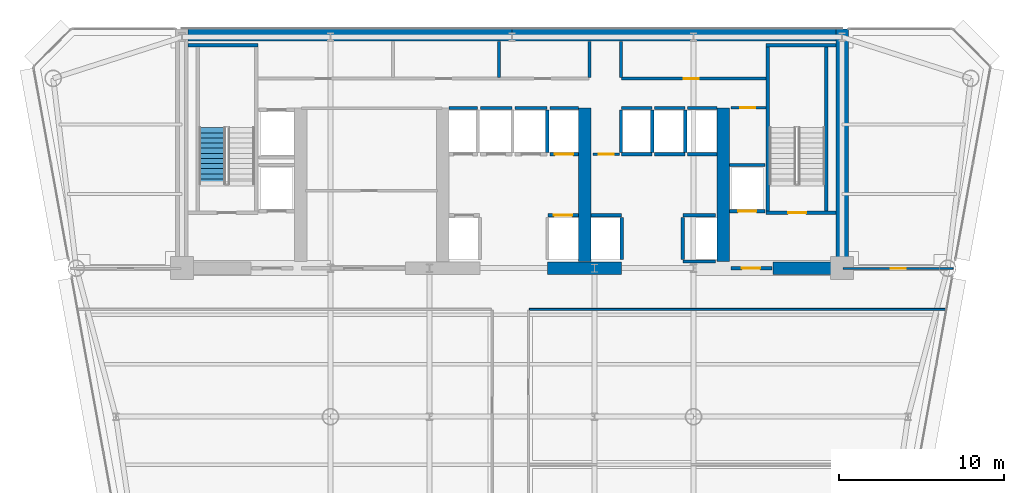
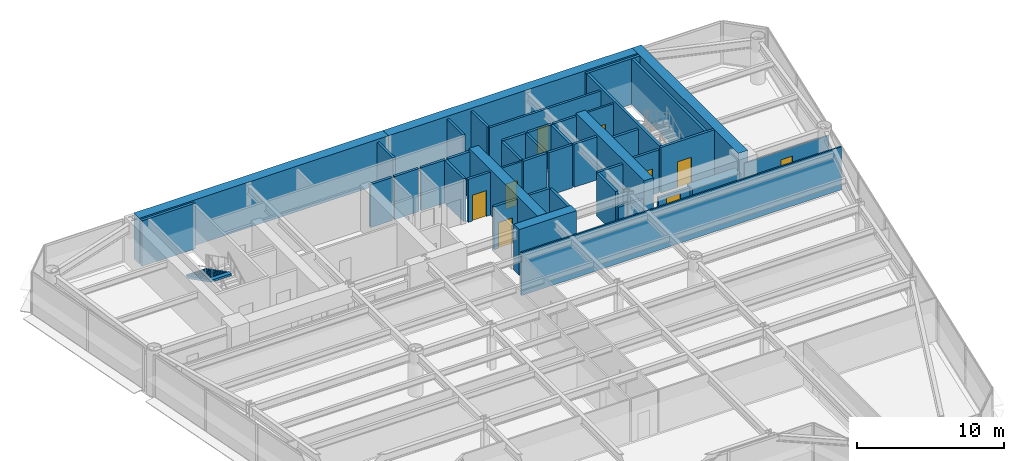
# One storey, part 9 of 14: 44 walls, 9 doors, 1 stair flight, 9 openings, 1 element without a shape of its own.
"""IFC4 building model written with IfcOpenShell, lengths in metres."""

from ifc_helpers import new_model, si_unit, direction, frame, frame_2d, origin, place, context, subcontext, project, spatial, polyline, rectangle, outline, extrude, source, transform, mapped, material, layer, layer_set, type_object, element, fill, aggregate, save


model = new_model("IFC4")

# Units and contexts
model_context = context("Model", 3, precision=1e-05, world=origin(), true_north=direction((0.0, 1.0)))
body_context = subcontext(model_context, "Body", "Model", "MODEL_VIEW")
ifc_project = project(units=[si_unit("LENGTHUNIT", "METRE"), si_unit("AREAUNIT", "SQUARE_METRE"), si_unit("VOLUMEUNIT", "CUBIC_METRE"), si_unit("PLANEANGLEUNIT", "RADIAN"), si_unit("MASSUNIT", "GRAM", prefix="KILO")], contexts=[model_context])

# Site, building, storey
site_placement = place(None, origin())
site = spatial("IfcSite", under=ifc_project, at=site_placement, CompositionType="ELEMENT")
building_placement = place(site_placement, origin())
building = spatial("IfcBuilding", under=site, at=building_placement, Name="Vaeldorn Concourse Tower", CompositionType="ELEMENT")
storey_placement = place(building_placement, frame((0.0, 0.0, 118.60009765625)))
storey = spatial("IfcBuildingStorey", under=building, at=storey_placement, Name="L30", CompositionType="ELEMENT", Elevation=118.60009765625)

# Walls
ifc_material_1 = material(Name="Concrete C60/75", Category="concrete")
ifc_layer_1 = layer(ifc_material_1, 0.75)
ifc_layer_set_1 = layer_set([ifc_layer_1], Name="Concrete C60/75")
wall_type_1 = type_object("IfcWallType", Name="WL-CORE-750", PredefinedType="SHEAR", material=ifc_layer_set_1)
for number, where, z_axis, x_axis, name in (
    (1, (14.37890625, 50.625, 0.0), (0.0, 0.0, 1.0), (1.0, 0.0, 0.0), "Rear Core Shear Wall L30 N1"),
    (2, (34.001953125, 50.625, 0.0), (0.0, 0.0, 1.0), (1.0, 0.0, 0.0), "Rear Core Shear Wall L30 N2"),
):
    element("IfcWall", number, at=place(storey_placement, frame(where, z_axis=z_axis, x_axis=x_axis)), inside=storey, type_object=wall_type_1, Name=name, PredefinedType="SHEAR", context=body_context, shape_type="SweptSolid", body=[
        extrude(rectangle(XDim=19.619140625, YDim=0.75, at=frame_2d((9.8095703125, 0.0))), origin(), (0.0, 0.0, 1.0), 3.7998046875),
    ])
wall_1_placement = place(storey_placement, frame((54.0, 36.5, 0.0), z_axis=(0.0, 0.0, 1.0), x_axis=(0.0, 1.0, 0.0)))
element("IfcWall", 3, at=wall_1_placement, inside=storey, type_object=wall_type_1, Name="Rear Core Shear Wall L30 E1", PredefinedType="SHEAR", context=body_context, shape_type="SweptSolid", body=[
    extrude(rectangle(XDim=14.5, YDim=0.75, at=frame_2d((7.25, 0.0))), origin(), (0.0, 0.0, 1.0), 3.7998046875),
])
wall_2_placement = place(storey_placement, frame((36.14990234375, 36.5, 0.0), z_axis=(0.0, 0.0, 1.0), x_axis=(1.0, 0.0, 0.0)))
element("IfcWall", 4, at=wall_2_placement, inside=storey, type_object=wall_type_1, Name="Rear Core Shear Wall L30 S3", PredefinedType="SHEAR", context=body_context, shape_type="SweptSolid", body=[
    extrude(rectangle(XDim=4.5, YDim=0.75, at=frame_2d((2.25, 0.0))), origin(), (0.0, 0.0, 1.0), 3.7998046875),
])
wall_3_placement = place(storey_placement, frame((49.800048828125, 36.5, 0.0), z_axis=(0.0, 0.0, 1.0), x_axis=(1.0, 0.0, 0.0)))
element("IfcWall", 5, at=wall_3_placement, inside=storey, type_object=wall_type_1, Name="Rear Core Shear Wall L30 S4", PredefinedType="SHEAR", context=body_context, shape_type="SweptSolid", body=[
    extrude(rectangle(XDim=3.804931640625, YDim=0.75, at=frame_2d((1.90234375, 0.0))), origin(), (0.0, 0.0, 1.0), 2.3798828125),
])
for number, where, z_axis, x_axis, name in (
    (6, (38.39990234375, 36.89501953125, 0.0), (0.0, 0.0, 1.0), (0.0, 1.0, 0.0), "Rear Core Shear Wall L30 M3"),
    (7, (46.800048828125, 36.89501953125, 0.0), (0.0, 0.0, 1.0), (0.0, 1.0, 0.0), "Rear Core Shear Wall L30 M4"),
):
    element("IfcWall", number, at=place(storey_placement, frame(where, z_axis=z_axis, x_axis=x_axis)), inside=storey, type_object=wall_type_1, Name=name, PredefinedType="SHEAR", context=body_context, shape_type="SweptSolid", body=[
        extrude(rectangle(XDim=9.304931640625, YDim=0.75, at=frame_2d((4.65234375, 0.0))), origin(), (0.0, 0.0, 1.0), 3.7998046875),
    ])
ifc_material_2 = material(Name="Gypsum Board Partition", Category="gypsum")
ifc_layer_2 = layer(ifc_material_2, 0.1201171875)
ifc_layer_set_2 = layer_set([ifc_layer_2], Name="Gypsum Board Partition")
wall_type_2 = type_object("IfcWallType", Name="WL-PART-120", PredefinedType="PARTITIONING", material=ifc_layer_set_2)
wall_4_placement = place(storey_placement, frame((35.06005859375, 34.0, 0.0), z_axis=(0.0, 0.0, 1.0), x_axis=(1.0, 0.0, 0.0)))
element("IfcWall", 8, at=wall_4_placement, inside=storey, type_object=wall_type_2, Name="Interior Wall PW-L30-C2SE", PredefinedType="PARTITIONING", context=body_context, shape_type="SweptSolid", body=[
    extrude(rectangle(XDim=25.224853515625, YDim=0.1201171875, at=frame_2d((12.6123046875, 0.0))), origin(), (0.0, 0.0, 1.0), 3.579833984375),
])

# Wall, opening, door
wall_5_placement = place(storey_placement, frame((54.06005859375, 36.47998046875, 0.0), z_axis=(0.0, 0.0, 1.0), x_axis=(1.0, 0.0, 0.0)))
wall_5 = element("IfcWall", 9, at=wall_5_placement, inside=storey, type_object=wall_type_2, Name="Interior Wall PW-L30-NES", PredefinedType="PARTITIONING", context=body_context, shape_type="SweptSolid", body=[
    extrude(rectangle(XDim=6.6708984375, YDim=0.1201171875, at=frame_2d((3.33544921875, 0.0))), origin(), (0.0, 0.0, 1.0), 2.869873046875),
])
opening_1_placement = place(wall_5_placement, frame((2.885009765625, 0.0, 0.0)))
opening_1 = element("IfcOpeningElement", 10, at=opening_1_placement, cuts=wall_5, Name="Opening D-03", PredefinedType="OPENING", context=body_context, shape_type="SweptSolid", body=[
    extrude(rectangle(XDim=0.89990234375, YDim=2.14990234375, at=frame_2d((0.449951171875, 1.074951171875))), frame((0.0, 0.070068359375, 0.0), z_axis=(0.0, -1.0, 0.0), x_axis=(1.0, 0.0, 0.0)), (0.0, 0.0, 1.0), 0.14013671875),
])
ifc_material_3 = material(Name="Acoustic Bronze-Framed Glass Door", Category="glass")
door_type_1 = type_object("IfcDoorType", Name="DR-INT-900", OperationType="NOTDEFINED", PredefinedType="DOOR", material=ifc_material_3)
shared_shape_1 = source(origin(), body_context, "Body", "SweptSolid", [
    extrude(rectangle(XDim=0.89990234375, YDim=2.14990234375, at=frame_2d((0.449951171875, 1.074951171875))), frame((0.0, 0.02490234375, 0.0), z_axis=(0.0, -1.0, 0.0), x_axis=(1.0, 0.0, 0.0)), (0.0, 0.0, 1.0), 0.050048828125),
])
door_1_placement = place(opening_1_placement, origin())
door_1 = element("IfcDoor", 11, at=door_1_placement, inside=storey, type_object=door_type_1, Name="Interior Door DR-L30-NEC", OperationType="SINGLE_SWING_RIGHT", OverallHeight=2.14990234375, OverallWidth=0.89990234375, PredefinedType="DOOR", context=body_context, shape_type="MappedRepresentation", body=[
    mapped(shared_shape_1, transform((0.0, 0.0, 0.0), scale=1.0)),
])
fill(opening_1, door_1)

ifc_layer_3 = layer(ifc_material_2, 0.14990234375)
ifc_layer_set_3 = layer_set([ifc_layer_3], Name="Gypsum Board Partition")
wall_type_3 = type_object("IfcWallType", Name="WL-PART-150", PredefinedType="PARTITIONING", material=ifc_layer_set_3)
wall_6_placement = place(storey_placement, frame((47.280029296875, 46.219970703125, 0.0), z_axis=(0.0, 0.0, 1.0), x_axis=(1.0, 0.0, 0.0)))
wall_6 = element("IfcWall", 12, at=wall_6_placement, inside=storey, type_object=wall_type_3, Name="Interior Wall CW-L30-CRSE-N", PredefinedType="PARTITIONING", context=body_context, shape_type="SweptSolid", body=[
    extrude(rectangle(XDim=2.099853515625, YDim=0.14990234375, at=frame_2d((1.0498046875, 0.0))), origin(), (0.0, 0.0, 1.0), 3.579833984375),
])
opening_2_placement = place(wall_6_placement, frame((0.550048828125, 0.0, 0.0)))
opening_2 = element("IfcOpeningElement", 13, at=opening_2_placement, cuts=wall_6, Name="Opening D-02", PredefinedType="OPENING", context=body_context, shape_type="SweptSolid", body=[
    extrude(rectangle(XDim=0.89990234375, YDim=2.10009765625, at=frame_2d((0.449951171875, 1.050048828125))), frame((0.0, 0.0849609375, 0.0), z_axis=(0.0, -1.0, 0.0), x_axis=(1.0, 0.0, 0.0)), (0.0, 0.0, 1.0), 0.169921875),
])
ifc_material_4 = material(Name="Fire-Rated Timber Leaf", Category="wood")
door_type_2 = type_object("IfcDoorType", Name="DR-FD30-900", OperationType="NOTDEFINED", PredefinedType="DOOR", material=ifc_material_4)
shared_shape_2 = source(origin(), body_context, "Body", "SweptSolid", [
    extrude(rectangle(XDim=0.89990234375, YDim=2.10009765625, at=frame_2d((0.449951171875, 1.050048828125))), frame((0.0, 0.02490234375, 0.0), z_axis=(0.0, -1.0, 0.0), x_axis=(1.0, 0.0, 0.0)), (0.0, 0.0, 1.0), 0.050048828125),
])
door_2_placement = place(opening_2_placement, origin())
door_2 = element("IfcDoor", 14, at=door_2_placement, inside=storey, type_object=door_type_2, Name="Interior Door DR-L30-CRSE", OperationType="SINGLE_SWING_RIGHT", OverallHeight=2.10009765625, OverallWidth=0.89990234375, PredefinedType="DOOR", context=body_context, shape_type="MappedRepresentation", body=[
    mapped(shared_shape_2, transform((0.0, 0.0, 0.0), scale=1.0)),
])
fill(opening_2, door_2)

wall_7_placement = place(storey_placement, frame((38.919921875, 43.39990234375, 0.0), z_axis=(0.0, 0.0, 1.0), x_axis=(1.0, 0.0, 0.0)))
wall_7 = element("IfcWall", 15, at=wall_7_placement, inside=storey, type_object=wall_type_3, Name="Interior Wall CW-L30-CCLINK", PredefinedType="PARTITIONING", context=body_context, shape_type="SweptSolid", body=[
    extrude(rectangle(XDim=1.60009765625, YDim=0.14990234375, at=frame_2d((0.800048828125, 0.0))), origin(), (0.0, 0.0, 1.0), 3.579833984375),
])
opening_3_placement = place(wall_7_placement, frame((0.35009765625, 0.0, 0.0)))
opening_3 = element("IfcOpeningElement", 16, at=opening_3_placement, cuts=wall_7, Name="Opening D-02", PredefinedType="OPENING", context=body_context, shape_type="SweptSolid", body=[
    extrude(rectangle(XDim=0.89990234375, YDim=2.10009765625, at=frame_2d((0.449951171875, 1.050048828125))), frame((0.0, 0.0849609375, 0.0), z_axis=(0.0, -1.0, 0.0), x_axis=(1.0, 0.0, 0.0)), (0.0, 0.0, 1.0), 0.169921875),
])
door_3_placement = place(opening_3_placement, origin())
door_3 = element("IfcDoor", 17, at=door_3_placement, inside=storey, type_object=door_type_2, Name="Interior Door DR-L30-CCLINK", OperationType="SINGLE_SWING_LEFT", OverallHeight=2.10009765625, OverallWidth=0.89990234375, PredefinedType="DOOR", context=body_context, shape_type="MappedRepresentation", body=[
    mapped(shared_shape_2, transform((0.0, 0.0, 0.0), scale=1.0)),
])
fill(opening_3, door_3)

ifc_layer_4 = layer(ifc_material_2, 0.179931640625)
ifc_layer_set_4 = layer_set([ifc_layer_4], Name="Gypsum Board Partition")
wall_type_4 = type_object("IfcWallType", Name="WL-PLUMB-180", PredefinedType="PLUMBINGWALL", material=ifc_layer_set_4)
wall_8_placement = place(storey_placement, frame((40.6201171875, 47.97998046875, 0.0), z_axis=(0.0, 0.0, 1.0), x_axis=(1.0, 0.0, 0.0)))
wall_8 = element("IfcWall", 18, at=wall_8_placement, inside=storey, type_object=wall_type_4, Name="Interior Wall CW-L30-NS1E", PredefinedType="PLUMBINGWALL", context=body_context, shape_type="SweptSolid", body=[
    extrude(rectangle(XDim=8.759765625, YDim=0.179931640625, at=frame_2d((4.3798828125, 0.0))), origin(), (0.0, 0.0, 1.0), 3.579833984375),
])
opening_4_placement = place(wall_8_placement, frame((3.800048828125, 0.0, 0.0)))
opening_4 = element("IfcOpeningElement", 19, at=opening_4_placement, cuts=wall_8, Name="Opening D-03", PredefinedType="OPENING", context=body_context, shape_type="SweptSolid", body=[
    extrude(rectangle(XDim=0.89990234375, YDim=2.14990234375, at=frame_2d((0.449951171875, 1.074951171875))), frame((0.0, 0.10009765625, 0.0), z_axis=(0.0, -1.0, 0.0), x_axis=(1.0, 0.0, 0.0)), (0.0, 0.0, 1.0), 0.199951171875),
])
door_4_placement = place(opening_4_placement, origin())
door_4 = element("IfcDoor", 20, at=door_4_placement, inside=storey, type_object=door_type_1, Name="Interior Door DR-L30-CS4", OperationType="SINGLE_SWING_RIGHT", OverallHeight=2.14990234375, OverallWidth=0.89990234375, PredefinedType="DOOR", context=body_context, shape_type="MappedRepresentation", body=[
    mapped(shared_shape_1, transform((0.0, 0.0, 0.0), scale=1.0)),
])
fill(opening_4, door_4)

# Walls
for number, where, z_axis, x_axis, name in (
    (21, (33.199951171875, 48.06005859375, 0.0), (0.0, 0.0, 1.0), (0.0, 1.0, 0.0), "Interior Wall CW-L30-NDIV2"),
    (22, (38.699951171875, 48.06005859375, 0.0), (0.0, 0.0, 1.0), (0.0, 1.0, 0.0), "Interior Wall CW-L30-NDIV3"),
    (23, (40.60009765625, 48.06005859375, 0.0), (0.0, 0.0, 1.0), (0.0, 1.0, 0.0), "Interior Wall CW-L30-NDIV4"),
):
    element("IfcWall", number, at=place(storey_placement, frame(where, z_axis=z_axis, x_axis=x_axis)), inside=storey, type_object=wall_type_4, Name=name, PredefinedType="PLUMBINGWALL", context=body_context, shape_type="SweptSolid", body=[
        extrude(rectangle(XDim=2.169921875, YDim=0.179931640625, at=frame_2d((1.0849609375, 0.0))), origin(), (0.0, 0.0, 1.0), 3.579833984375),
    ])
ifc_material_5 = material(Name="Concrete C50/60", Category="concrete")
ifc_layer_5 = layer(ifc_material_5, 0.199951171875)
ifc_layer_set_5 = layer_set([ifc_layer_5], Name="Concrete C50/60")
wall_type_5 = type_object("IfcWallType", Name="WL-SHAFT-200", PredefinedType="SOLIDWALL", material=ifc_layer_set_5)
wall_9_placement = place(storey_placement, frame((14.375, 50.0, 0.0), z_axis=(0.0, 0.0, 1.0), x_axis=(1.0, 0.0, 0.0)))
element("IfcWall", 24, at=wall_9_placement, inside=storey, type_object=wall_type_5, Name="Stair Shaft Wall CW-L30-ST-1-N", PredefinedType="SOLIDWALL", context=body_context, shape_type="SweptSolid", body=[
    extrude(rectangle(XDim=4.22509765625, YDim=0.199951171875, at=frame_2d((2.112548828125, 0.0))), origin(), (0.0, 0.0, 1.0), 3.7998046875),
])

# Wall, opening, door
wall_10_placement = place(storey_placement, frame((49.39990234375, 39.85009765625, 0.0), z_axis=(0.0, 0.0, 1.0), x_axis=(1.0, 0.0, 0.0)))
wall_10 = element("IfcWall", 25, at=wall_10_placement, inside=storey, type_object=wall_type_5, Name="Stair Shaft Wall CW-L30-ST-2-S", PredefinedType="SOLIDWALL", context=body_context, shape_type="SweptSolid", body=[
    extrude(rectangle(XDim=4.22509765625, YDim=0.199951171875, at=frame_2d((2.112548828125, 0.0))), origin(), (0.0, 0.0, 1.0), 3.7998046875),
])
opening_5_placement = place(wall_10_placement, frame((1.324951171875, 0.0, 0.0)))
opening_5 = element("IfcOpeningElement", 26, at=opening_5_placement, cuts=wall_10, Name="Opening D-01", PredefinedType="OPENING", context=body_context, shape_type="SweptSolid", body=[
    extrude(rectangle(XDim=1.10009765625, YDim=2.14990234375, at=frame_2d((0.550048828125, 1.074951171875))), frame((0.0, 0.10986328125, 0.0), z_axis=(0.0, -1.0, 0.0), x_axis=(1.0, 0.0, 0.0)), (0.0, 0.0, 1.0), 0.219970703125),
])
ifc_material_6 = material(Name="Fire-Rated Timber and Steel Leaf", Category="steel")
door_type_3 = type_object("IfcDoorType", Name="DR-FD60-1100", OperationType="NOTDEFINED", PredefinedType="DOOR", material=ifc_material_6)
shared_shape_3 = source(origin(), body_context, "Body", "SweptSolid", [
    extrude(rectangle(XDim=1.10009765625, YDim=2.14990234375, at=frame_2d((0.550048828125, 1.074951171875))), frame((0.0, 0.02490234375, 0.0), z_axis=(0.0, -1.0, 0.0), x_axis=(1.0, 0.0, 0.0)), (0.0, 0.0, 1.0), 0.050048828125),
])
door_5_placement = place(opening_5_placement, origin())
door_5 = element("IfcDoor", 27, at=door_5_placement, inside=storey, type_object=door_type_3, Name="Interior Door DR-L30-ST-2", OperationType="SINGLE_SWING_RIGHT", OverallHeight=2.14990234375, OverallWidth=1.10009765625, PredefinedType="DOOR", context=body_context, shape_type="MappedRepresentation", body=[
    mapped(shared_shape_3, transform((0.0, 0.0, 0.0), scale=1.0)),
])
fill(opening_5, door_5)

# Walls
wall_11_placement = place(storey_placement, frame((49.39990234375, 50.0, 0.0), z_axis=(0.0, 0.0, 1.0), x_axis=(1.0, 0.0, 0.0)))
element("IfcWall", 28, at=wall_11_placement, inside=storey, type_object=wall_type_5, Name="Stair Shaft Wall CW-L30-ST-2-N", PredefinedType="SOLIDWALL", context=body_context, shape_type="SweptSolid", body=[
    extrude(rectangle(XDim=4.22509765625, YDim=0.199951171875, at=frame_2d((2.112548828125, 0.0))), origin(), (0.0, 0.0, 1.0), 3.7998046875),
])
for number, where, z_axis, x_axis, name in (
    (29, (49.5, 39.9599609375, 0.0), (0.0, 0.0, 1.0), (0.0, 1.0, 0.0), "Stair Shaft Wall CW-L30-ST-2-W"),
    (30, (53.050048828125, 39.9599609375, 0.0), (0.0, 0.0, 1.0), (0.0, 1.0, 0.0), "Stair Shaft Wall CW-L30-ST-2-E"),
):
    element("IfcWall", number, at=place(storey_placement, frame(where, z_axis=z_axis, x_axis=x_axis)), inside=storey, type_object=wall_type_5, Name=name, PredefinedType="SOLIDWALL", context=body_context, shape_type="SweptSolid", body=[
        extrude(rectangle(XDim=9.929931640625, YDim=0.199951171875, at=frame_2d((4.96484375, 0.0))), origin(), (0.0, 0.0, 1.0), 3.7998046875),
    ])

# Wall, opening, door
wall_12_placement = place(storey_placement, frame((47.280029296875, 36.5, 0.0), z_axis=(0.0, 0.0, 1.0), x_axis=(1.0, 0.0, 0.0)))
wall_12 = element("IfcWall", 31, at=wall_12_placement, inside=storey, type_object=wall_type_5, Name="Interior Wall CW-L30-FF2S", PredefinedType="SOLIDWALL", context=body_context, shape_type="SweptSolid", body=[
    extrude(rectangle(XDim=2.469970703125, YDim=0.199951171875, at=frame_2d((1.23486328125, 0.0))), origin(), (0.0, 0.0, 1.0), 2.369873046875),
])
opening_6_placement = place(wall_12_placement, frame((0.64990234375, 0.0, 0.0)))
opening_6 = element("IfcOpeningElement", 32, at=opening_6_placement, cuts=wall_12, Name="Opening D-01", PredefinedType="OPENING", context=body_context, shape_type="SweptSolid", body=[
    extrude(rectangle(XDim=1.10009765625, YDim=2.14990234375, at=frame_2d((0.550048828125, 1.074951171875))), frame((0.0, 0.10986328125, 0.0), z_axis=(0.0, -1.0, 0.0), x_axis=(1.0, 0.0, 0.0)), (0.0, 0.0, 1.0), 0.219970703125),
])
door_6_placement = place(opening_6_placement, origin())
door_6 = element("IfcDoor", 33, at=door_6_placement, inside=storey, type_object=door_type_3, Name="Interior Door DR-L30-FF2W", OperationType="SINGLE_SWING_LEFT", OverallHeight=2.14990234375, OverallWidth=1.10009765625, PredefinedType="DOOR", context=body_context, shape_type="MappedRepresentation", body=[
    mapped(shared_shape_3, transform((0.0, 0.0, 0.0), scale=1.0)),
])
fill(opening_6, door_6)

wall_13_placement = place(storey_placement, frame((36.169921875, 39.699951171875, 0.0), z_axis=(0.0, 0.0, 1.0), x_axis=(1.0, 0.0, 0.0)))
wall_13 = element("IfcWall", 34, at=wall_13_placement, inside=storey, type_object=wall_type_5, Name="Interior Wall CW-L30-LF-LF-08", PredefinedType="SOLIDWALL", context=body_context, shape_type="SweptSolid", body=[
    extrude(rectangle(XDim=1.844970703125, YDim=0.199951171875, at=frame_2d((0.92236328125, 0.0))), origin(), (0.0, 0.0, 1.0), 3.579833984375),
])
opening_7_placement = place(wall_13_placement, frame((0.3720703125, 0.0, 0.0)))
opening_7 = element("IfcOpeningElement", 35, at=opening_7_placement, cuts=wall_13, Name="Opening LD-1", PredefinedType="OPENING", context=body_context, shape_type="SweptSolid", body=[
    extrude(rectangle(XDim=1.10009765625, YDim=2.14990234375, at=frame_2d((0.550048828125, 1.074951171875))), frame((0.0, 0.10986328125, 0.0), z_axis=(0.0, -1.0, 0.0), x_axis=(1.0, 0.0, 0.0)), (0.0, 0.0, 1.0), 0.219970703125),
])
ifc_material_7 = material(Name="Anodised Bronze Aluminium", Category="aluminium")
door_type_4 = type_object("IfcDoorType", Name="DR-LIFT-SLIDE-1100", OperationType="DOUBLE_DOOR_SLIDING", PredefinedType="DOOR", material=ifc_material_7)
door_7_placement = place(opening_7_placement, origin())
door_7 = element("IfcDoor", 36, at=door_7_placement, inside=storey, type_object=door_type_4, Name="Lift Landing Door LD-L30-LF-08", OperationType="DOUBLE_DOOR_SLIDING", OverallHeight=2.14990234375, OverallWidth=1.10009765625, PredefinedType="DOOR", context=body_context, shape_type="MappedRepresentation", body=[
    mapped(shared_shape_3, transform((0.0, 0.0, 0.0), scale=1.0)),
])
fill(opening_7, door_7)

# Walls
wall_14_placement = place(storey_placement, frame((30.18505859375, 46.199951171875, 0.0), z_axis=(0.0, 0.0, 1.0), x_axis=(1.0, 0.0, 0.0)))
element("IfcWall", 37, at=wall_14_placement, inside=storey, type_object=wall_type_5, Name="Interior Wall CW-L30-LFB-LF-09", PredefinedType="SOLIDWALL", context=body_context, shape_type="SweptSolid", body=[
    extrude(rectangle(XDim=1.724853515625, YDim=0.199951171875, at=frame_2d((0.8623046875, 0.0))), origin(), (0.0, 0.0, 1.0), 3.579833984375),
])
wall_15_placement = place(storey_placement, frame((32.090087890625, 46.199951171875, 0.0), z_axis=(0.0, 0.0, 1.0), x_axis=(1.0, 0.0, 0.0)))
element("IfcWall", 38, at=wall_15_placement, inside=storey, type_object=wall_type_5, Name="Interior Wall CW-L30-LFB-LF-10", PredefinedType="SOLIDWALL", context=body_context, shape_type="SweptSolid", body=[
    extrude(rectangle(XDim=1.919921875, YDim=0.199951171875, at=frame_2d((0.9599609375, 0.0))), origin(), (0.0, 0.0, 1.0), 3.579833984375),
])
wall_16_placement = place(storey_placement, frame((34.18994140625, 46.199951171875, 0.0), z_axis=(0.0, 0.0, 1.0), x_axis=(1.0, 0.0, 0.0)))
element("IfcWall", 39, at=wall_16_placement, inside=storey, type_object=wall_type_5, Name="Interior Wall CW-L30-LFB-LF-11", PredefinedType="SOLIDWALL", context=body_context, shape_type="SweptSolid", body=[
    extrude(rectangle(XDim=1.920166015625, YDim=0.199951171875, at=frame_2d((0.9599609375, 0.0))), origin(), (0.0, 0.0, 1.0), 3.579833984375),
])
wall_17_placement = place(storey_placement, frame((36.1298828125, 43.52001953125, 0.0), z_axis=(0.0, 0.0, 1.0), x_axis=(0.0, 1.0, 0.0)))
element("IfcWall", 40, at=wall_17_placement, inside=storey, type_object=wall_type_5, Name="Interior Wall CW-L30-LFE-LF-11", PredefinedType="SOLIDWALL", context=body_context, shape_type="SweptSolid", body=[
    extrude(rectangle(XDim=2.56005859375, YDim=0.199951171875, at=frame_2d((1.280029296875, 0.0))), origin(), (0.0, 0.0, 1.0), 3.579833984375),
])

# Wall, opening, door
wall_18_placement = place(storey_placement, frame((36.2900390625, 43.39990234375, 0.0), z_axis=(0.0, 0.0, 1.0), x_axis=(1.0, 0.0, 0.0)))
wall_18 = element("IfcWall", 41, at=wall_18_placement, inside=storey, type_object=wall_type_5, Name="Interior Wall CW-L30-LF-LF-12", PredefinedType="SOLIDWALL", context=body_context, shape_type="SweptSolid", body=[
    extrude(rectangle(XDim=1.724853515625, YDim=0.199951171875, at=frame_2d((0.8623046875, 0.0))), origin(), (0.0, 0.0, 1.0), 3.579833984375),
])
opening_8_placement = place(wall_18_placement, frame((0.31298828125, 0.0, 0.0)))
opening_8 = element("IfcOpeningElement", 42, at=opening_8_placement, cuts=wall_18, Name="Opening LD-1", PredefinedType="OPENING", context=body_context, shape_type="SweptSolid", body=[
    extrude(rectangle(XDim=1.10009765625, YDim=2.14990234375, at=frame_2d((0.550048828125, 1.074951171875))), frame((0.0, 0.10986328125, 0.0), z_axis=(0.0, -1.0, 0.0), x_axis=(1.0, 0.0, 0.0)), (0.0, 0.0, 1.0), 0.219970703125),
])
door_8_placement = place(opening_8_placement, origin())
door_8 = element("IfcDoor", 43, at=door_8_placement, inside=storey, type_object=door_type_4, Name="Lift Landing Door LD-L30-LF-12", OperationType="DOUBLE_DOOR_SLIDING", OverallHeight=2.14990234375, OverallWidth=1.10009765625, PredefinedType="DOOR", context=body_context, shape_type="MappedRepresentation", body=[
    mapped(shared_shape_3, transform((0.0, 0.0, 0.0), scale=1.0)),
])
fill(opening_8, door_8)

# Walls
wall_19_placement = place(storey_placement, frame((36.2900390625, 46.199951171875, 0.0), z_axis=(0.0, 0.0, 1.0), x_axis=(1.0, 0.0, 0.0)))
element("IfcWall", 44, at=wall_19_placement, inside=storey, type_object=wall_type_5, Name="Interior Wall CW-L30-LFB-LF-12", PredefinedType="SOLIDWALL", context=body_context, shape_type="SweptSolid", body=[
    extrude(rectangle(XDim=1.724853515625, YDim=0.199951171875, at=frame_2d((0.8623046875, 0.0))), origin(), (0.0, 0.0, 1.0), 3.579833984375),
])
wall_20_placement = place(storey_placement, frame((38.784912109375, 39.699951171875, 0.0), z_axis=(0.0, 0.0, 1.0), x_axis=(1.0, 0.0, 0.0)))
element("IfcWall", 45, at=wall_20_placement, inside=storey, type_object=wall_type_5, Name="Interior Wall CW-L30-LF-LF-13", PredefinedType="SOLIDWALL", context=body_context, shape_type="SweptSolid", body=[
    extrude(rectangle(XDim=1.844970703125, YDim=0.199951171875, at=frame_2d((0.92236328125, 0.0))), origin(), (0.0, 0.0, 1.0), 3.579833984375),
])
wall_21_placement = place(storey_placement, frame((40.64990234375, 37.02001953125, 0.0), z_axis=(0.0, 0.0, 1.0), x_axis=(0.0, 1.0, 0.0)))
element("IfcWall", 46, at=wall_21_placement, inside=storey, type_object=wall_type_5, Name="Interior Wall CW-L30-LFE-LF-13", PredefinedType="SOLIDWALL", context=body_context, shape_type="SweptSolid", body=[
    extrude(rectangle(XDim=2.56005859375, YDim=0.199951171875, at=frame_2d((1.280029296875, 0.0))), origin(), (0.0, 0.0, 1.0), 3.579833984375),
])
wall_22_placement = place(storey_placement, frame((44.3701171875, 39.699951171875, 0.0), z_axis=(0.0, 0.0, 1.0), x_axis=(1.0, 0.0, 0.0)))
element("IfcWall", 47, at=wall_22_placement, inside=storey, type_object=wall_type_5, Name="Interior Wall CW-L30-LF-LF-14", PredefinedType="SOLIDWALL", context=body_context, shape_type="SweptSolid", body=[
    extrude(rectangle(XDim=1.9599609375, YDim=0.199951171875, at=frame_2d((0.97998046875, 0.0))), origin(), (0.0, 0.0, 1.0), 3.579833984375),
])
wall_23_placement = place(storey_placement, frame((44.3701171875, 36.89990234375, 0.0), z_axis=(0.0, 0.0, 1.0), x_axis=(1.0, 0.0, 0.0)))
element("IfcWall", 48, at=wall_23_placement, inside=storey, type_object=wall_type_5, Name="Interior Wall CW-L30-LFB-LF-14", PredefinedType="SOLIDWALL", context=body_context, shape_type="SweptSolid", body=[
    extrude(rectangle(XDim=1.9599609375, YDim=0.199951171875, at=frame_2d((0.97998046875, 0.0))), origin(), (0.0, 0.0, 1.0), 2.369873046875),
])
wall_24_placement = place(storey_placement, frame((44.35009765625, 37.02001953125, 0.0), z_axis=(0.0, 0.0, 1.0), x_axis=(0.0, 1.0, 0.0)))
element("IfcWall", 49, at=wall_24_placement, inside=storey, type_object=wall_type_5, Name="Interior Wall CW-L30-LFW-LF-14", PredefinedType="SOLIDWALL", context=body_context, shape_type="SweptSolid", body=[
    extrude(rectangle(XDim=2.56005859375, YDim=0.199951171875, at=frame_2d((1.280029296875, 0.0))), origin(), (0.0, 0.0, 1.0), 3.579833984375),
])
for number, where, z_axis, x_axis, name in (
    (50, (40.6201171875, 43.39990234375, 0.0), (0.0, 0.0, 1.0), (1.0, 0.0, 0.0), "Interior Wall CW-L30-LF-LF-15"),
    (51, (40.6201171875, 46.199951171875, 0.0), (0.0, 0.0, 1.0), (1.0, 0.0, 0.0), "Interior Wall CW-L30-LFB-LF-15"),
):
    element("IfcWall", number, at=place(storey_placement, frame(where, z_axis=z_axis, x_axis=x_axis)), inside=storey, type_object=wall_type_5, Name=name, PredefinedType="SOLIDWALL", context=body_context, shape_type="SweptSolid", body=[
        extrude(rectangle(XDim=1.85986328125, YDim=0.199951171875, at=frame_2d((0.929931640625, 0.0))), origin(), (0.0, 0.0, 1.0), 3.579833984375),
    ])
for number, where, z_axis, x_axis, name in (
    (52, (40.60009765625, 43.52001953125, 0.0), (0.0, 0.0, 1.0), (0.0, 1.0, 0.0), "Interior Wall CW-L30-LFW-LF-15"),
    (53, (42.5, 43.52001953125, 0.0), (0.0, 0.0, 1.0), (0.0, 1.0, 0.0), "Interior Wall CW-L30-LFE-LF-15"),
):
    element("IfcWall", number, at=place(storey_placement, frame(where, z_axis=z_axis, x_axis=x_axis)), inside=storey, type_object=wall_type_5, Name=name, PredefinedType="SOLIDWALL", context=body_context, shape_type="SweptSolid", body=[
        extrude(rectangle(XDim=2.56005859375, YDim=0.199951171875, at=frame_2d((1.280029296875, 0.0))), origin(), (0.0, 0.0, 1.0), 3.579833984375),
    ])
for number, where, z_axis, x_axis, name in (
    (54, (42.6201171875, 43.39990234375, 0.0), (0.0, 0.0, 1.0), (1.0, 0.0, 0.0), "Interior Wall CW-L30-LF-LF-16"),
    (55, (42.6201171875, 46.199951171875, 0.0), (0.0, 0.0, 1.0), (1.0, 0.0, 0.0), "Interior Wall CW-L30-LFB-LF-16"),
):
    element("IfcWall", number, at=place(storey_placement, frame(where, z_axis=z_axis, x_axis=x_axis)), inside=storey, type_object=wall_type_5, Name=name, PredefinedType="SOLIDWALL", context=body_context, shape_type="SweptSolid", body=[
        extrude(rectangle(XDim=1.85986328125, YDim=0.199951171875, at=frame_2d((0.929931640625, 0.0))), origin(), (0.0, 0.0, 1.0), 3.579833984375),
    ])
wall_25_placement = place(storey_placement, frame((44.5, 43.52001953125, 0.0), z_axis=(0.0, 0.0, 1.0), x_axis=(0.0, 1.0, 0.0)))
element("IfcWall", 56, at=wall_25_placement, inside=storey, type_object=wall_type_5, Name="Interior Wall CW-L30-LFE-LF-16", PredefinedType="SOLIDWALL", context=body_context, shape_type="SweptSolid", body=[
    extrude(rectangle(XDim=2.56005859375, YDim=0.199951171875, at=frame_2d((1.280029296875, 0.0))), origin(), (0.0, 0.0, 1.0), 3.579833984375),
])
for number, where, z_axis, x_axis, name in (
    (57, (44.6201171875, 43.39990234375, 0.0), (0.0, 0.0, 1.0), (1.0, 0.0, 0.0), "Interior Wall CW-L30-LF-LF-17"),
    (58, (44.6201171875, 46.199951171875, 0.0), (0.0, 0.0, 1.0), (1.0, 0.0, 0.0), "Interior Wall CW-L30-LFB-LF-17"),
):
    element("IfcWall", number, at=place(storey_placement, frame(where, z_axis=z_axis, x_axis=x_axis)), inside=storey, type_object=wall_type_5, Name=name, PredefinedType="SOLIDWALL", context=body_context, shape_type="SweptSolid", body=[
        extrude(rectangle(XDim=1.794921875, YDim=0.199951171875, at=frame_2d((0.8974609375, 0.0))), origin(), (0.0, 0.0, 1.0), 3.579833984375),
    ])

# Wall, opening, door
wall_26_placement = place(storey_placement, frame((47.18505859375, 39.949951171875, 0.0), z_axis=(0.0, 0.0, 1.0), x_axis=(1.0, 0.0, 0.0)))
wall_26 = element("IfcWall", 59, at=wall_26_placement, inside=storey, type_object=wall_type_5, Name="Interior Wall CW-L30-LF-LF-FF2", PredefinedType="SOLIDWALL", context=body_context, shape_type="SweptSolid", body=[
    extrude(rectangle(XDim=2.14501953125, YDim=0.199951171875, at=frame_2d((1.072509765625, 0.0))), origin(), (0.0, 0.0, 1.0), 3.579833984375),
])
opening_9_placement = place(wall_26_placement, frame((0.52197265625, 0.0, 0.0)))
opening_9 = element("IfcOpeningElement", 60, at=opening_9_placement, cuts=wall_26, Name="Opening LD-1", PredefinedType="OPENING", context=body_context, shape_type="SweptSolid", body=[
    extrude(rectangle(XDim=1.10009765625, YDim=2.14990234375, at=frame_2d((0.550048828125, 1.074951171875))), frame((0.0, 0.10986328125, 0.0), z_axis=(0.0, -1.0, 0.0), x_axis=(1.0, 0.0, 0.0)), (0.0, 0.0, 1.0), 0.219970703125),
])
door_9_placement = place(opening_9_placement, origin())
door_9 = element("IfcDoor", 61, at=door_9_placement, inside=storey, type_object=door_type_4, Name="Lift Landing Door LD-L30-LF-FF2", OperationType="DOUBLE_DOOR_SLIDING", OverallHeight=2.14990234375, OverallWidth=1.10009765625, PredefinedType="DOOR", context=body_context, shape_type="MappedRepresentation", body=[
    mapped(shared_shape_3, transform((0.0, 0.0, 0.0), scale=1.0)),
])
fill(opening_9, door_9)

# Wall
wall_27_placement = place(storey_placement, frame((47.18505859375, 42.75, 0.0), z_axis=(0.0, 0.0, 1.0), x_axis=(1.0, 0.0, 0.0)))
element("IfcWall", 62, at=wall_27_placement, inside=storey, type_object=wall_type_5, Name="Interior Wall CW-L30-LFB-LF-FF2", PredefinedType="SOLIDWALL", context=body_context, shape_type="SweptSolid", body=[
    extrude(rectangle(XDim=2.14501953125, YDim=0.199951171875, at=frame_2d((1.072509765625, 0.0))), origin(), (0.0, 0.0, 1.0), 3.579833984375),
])

# Stair, stair flight
ifc_material_8 = material(Name="Precast concrete C40/50", Category="concrete")
stair_type = type_object("IfcStairType", Name="STR-DOG-24x158", PredefinedType="HALF_TURN_STAIR", material=ifc_material_8)
stair_placement = place(storey_placement, origin())
stair = element("IfcStair", 63, at=stair_placement, inside=storey, type_object=stair_type, Name="L30 West Core Exit Stair ST-1", PredefinedType="HALF_TURN_STAIR")
stair_flight_type = type_object("IfcStairFlightType", Name="STF-STR-12x158", PredefinedType="STRAIGHT", material=ifc_material_8)
stair_flight_placement = place(storey_placement, frame((15.85009765625, 45.010009765625, 1.89990234375), z_axis=(0.0, 0.0, 1.0), x_axis=(0.0, -1.0, 0.0)))
stair_flight = element("IfcStairFlight", 64, at=stair_flight_placement, type_object=stair_flight_type, Name="ST-1 flight 2", NumberOfRisers=12, NumberOfTreads=11, PredefinedType="STRAIGHT", RiserHeight=0.158333333, TreadLength=0.31, context=body_context, shape_type="SweptSolid", body=[
    extrude(outline(polyline([(0.0, 0.0), (0.0, 0.158447265625), (0.31005859375, 0.158447265625), (0.31005859375, 0.316650390625), (0.6201171875, 0.316650390625), (0.6201171875, 0.47509765625), (0.929931640625, 0.47509765625), (0.929931640625, 0.63330078125), (1.239990234375, 0.63330078125), (1.239990234375, 0.791748046875), (1.550048828125, 0.791748046875), (1.550048828125, 0.949951171875), (1.860107421875, 0.949951171875), (1.860107421875, 1.1083984375), (2.169921875, 1.1083984375), (2.169921875, 1.2666015625), (2.47998046875, 1.2666015625), (2.47998046875, 1.425048828125), (2.7900390625, 1.425048828125), (2.7900390625, 1.583251953125), (3.10009765625, 1.583251953125), (3.10009765625, 1.74169921875), (3.409912109375, 1.74169921875), (3.409912109375, 1.89990234375), (3.409912109375, 1.5732421875), (0.32958984375, 0.0), (0.0, 0.0)])), frame((0.0, 0.800048828125, 0.0), z_axis=(0.0, -1.0, 0.0), x_axis=(1.0, 0.0, 0.0)), (0.0, 0.0, 1.0), 1.60009765625),
])
aggregate(stair, [stair_flight])

save(model, "model.ifc")
